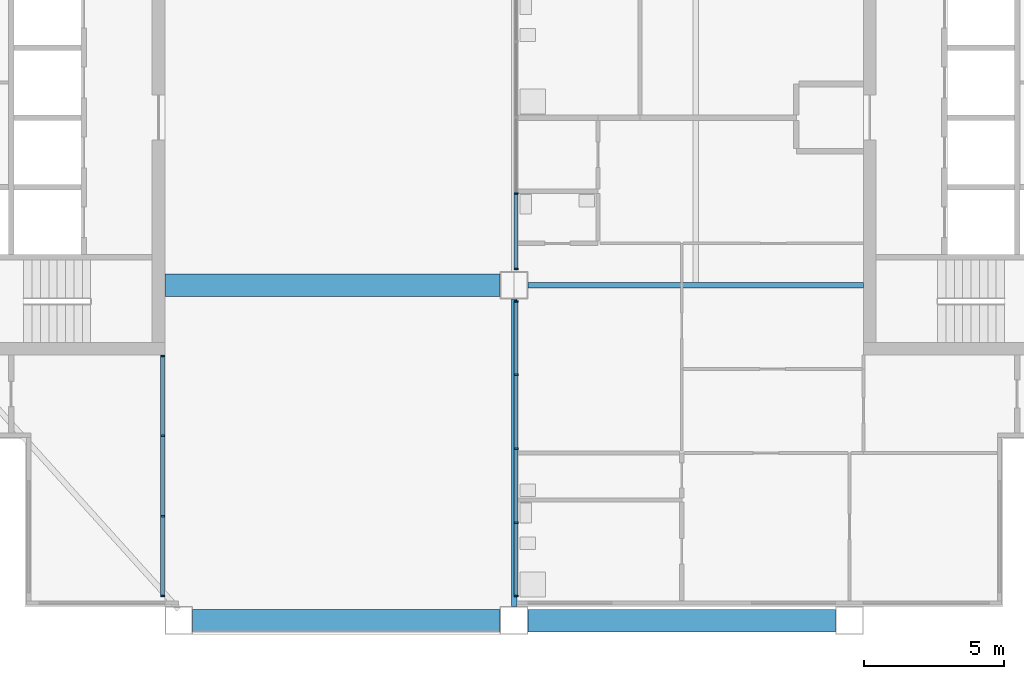
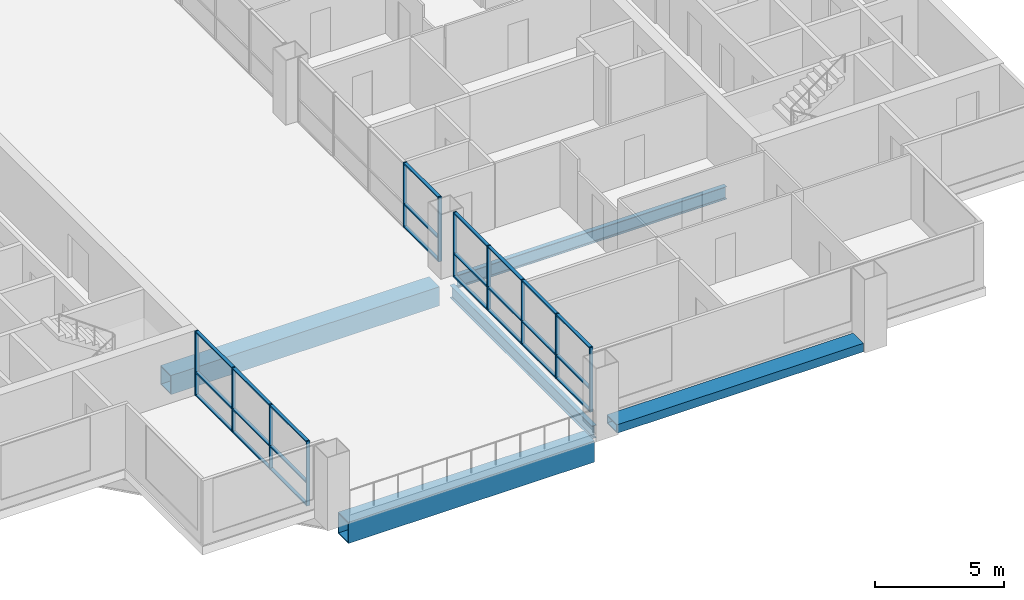
# One storey, part 2 of 12: 35 members, 5 beams, 3 elements without a shape of their own.
"""IFC4 building model written with IfcOpenShell, lengths in metres."""

import ifcopenshell
import ifcopenshell.guid

model = None  # the IFC model being written
_history = None  # IfcOwnerHistory: only IFC2X3 demands one
_inside = {}  # id of a spatial element -> (the spatial element, [elements in it])
_under = {}  # id of a project, library or spatial element -> (it, [spatial elements below it])
_declared = {}  # id of a project -> (the project, [libraries it declares])
_typed = {}  # id of a type object -> (the type object, [elements of that type])
_made_of = {}  # id of a material, layer set ... -> (it, [elements and type objects made of it])


def new_model(schema):
    """Start an empty IFC model of exactly this schema.

    Asked for "IFC4X3", IfcOpenShell would pick the latest addendum, in which some entities
    have other attributes; the version numbers below select the first issue.
    IFC2X3 requires an IfcOwnerHistory on every rooted entity: one is made here for all.
    """
    global model, _history
    if schema == "IFC4X3":
        model = ifcopenshell.file(schema_version=(4, 3, 0, 0))
    else:
        model = ifcopenshell.file(schema=schema)
    _inside.clear()
    _under.clear()
    _declared.clear()
    _typed.clear()
    _made_of.clear()
    _history = None
    if model.schema == "IFC2X3":
        org = make("IfcOrganization", Name="unknown")
        user = make(
            "IfcPersonAndOrganization",
            ThePerson=make("IfcPerson", FamilyName="unknown"),
            TheOrganization=org,
        )
        app = make(
            "IfcApplication",
            ApplicationDeveloper=org,
            Version="unknown",
            ApplicationFullName="unknown",
            ApplicationIdentifier="unknown",
        )
        _history = make(
            "IfcOwnerHistory",
            OwningUser=user,
            OwningApplication=app,
            ChangeAction="ADDED",
            CreationDate=0,
        )
    return model


def make(cls, **values):
    """One entity of the class cls with the attributes given. An attribute that is None is left unset."""
    return model.create_entity(
        cls, **{name: value for name, value in values.items() if value is not None}
    )


def rooted(cls, **values):
    """An entity with a GlobalId (a new one), such as an element, a storey or a relation."""
    return make(cls, GlobalId=ifcopenshell.guid.new(), OwnerHistory=_history, **values)


def si_unit(unit_type, name, prefix=None):
    """IfcSIUnit, for example si_unit("LENGTHUNIT", "METRE", prefix="MILLI")."""
    return make("IfcSIUnit", UnitType=unit_type, Prefix=prefix, Name=name)


def assignment(units):
    """IfcUnitAssignment: the units of a project."""
    return None if units is None else make("IfcUnitAssignment", Units=units)


def point(xyz):
    """IfcCartesianPoint."""
    return None if xyz is None else make("IfcCartesianPoint", Coordinates=xyz)


def direction(xyz):
    """IfcDirection."""
    return None if xyz is None else make("IfcDirection", DirectionRatios=xyz)


def frame(location, z_axis=None, x_axis=None):
    """IfcAxis2Placement3D, a coordinate frame: its origin and axes. An axis left out is left unset."""
    return make(
        "IfcAxis2Placement3D",
        Location=point(location),
        Axis=direction(z_axis),
        RefDirection=direction(x_axis),
    )


def frame_2d(location, x_axis=None):
    """IfcAxis2Placement2D, a coordinate frame in the plane: its origin and x axis."""
    return make(
        "IfcAxis2Placement2D", Location=point(location), RefDirection=direction(x_axis)
    )


def origin():
    """The frame at (0, 0, 0) with its axes left unset."""
    return frame((0.0, 0.0, 0.0))


def origin_2d():
    """The frame at (0, 0) in the plane with its x axis left unset."""
    return frame_2d((0.0, 0.0))


def place(relative_to, where):
    """IfcLocalPlacement: puts the frame where relative to a parent placement (None: the world)."""
    return make(
        "IfcLocalPlacement", PlacementRelTo=relative_to, RelativePlacement=where
    )


def context(
    kind, dimensions, precision=None, world=None, true_north=None, identifier=None
):
    """IfcGeometricRepresentationContext, for example the 3D "Model" context."""
    return make(
        "IfcGeometricRepresentationContext",
        ContextIdentifier=identifier,
        ContextType=kind,
        CoordinateSpaceDimension=dimensions,
        Precision=precision,
        WorldCoordinateSystem=world,
        TrueNorth=true_north,
    )


def subcontext(parent, identifier, kind, view, scale=None):
    """IfcGeometricRepresentationSubContext, for example "Body" below "Model"."""
    return make(
        "IfcGeometricRepresentationSubContext",
        ContextIdentifier=identifier,
        ContextType=kind,
        ParentContext=parent,
        TargetScale=scale,
        TargetView=view,
    )


def project(units=None, contexts=None):
    """IfcProject with its units and contexts."""
    return rooted(
        "IfcProject",
        Name="project",
        RepresentationContexts=contexts,
        UnitsInContext=assignment(units),
    )


def spatial(cls, under=None, at=None, **own):
    """A site, building, storey or space (cls), placed at a placement, below another one or the project."""
    s = rooted(cls, ObjectPlacement=at, **own)
    if under is not None:
        _under.setdefault(under.id(), (under, []))[1].append(s)
    return s


def profile(cls, at=None, kind="AREA", **sizes):
    """A parametric profile (cls). Its sizes go by their IFC names, for example OverallWidth=200.0."""
    return make(cls, ProfileType=kind, Position=at, **sizes)


def rectangle(**sizes):
    """IfcRectangleProfileDef."""
    return profile("IfcRectangleProfileDef", **sizes)


def hollow_rectangle(**sizes):
    """IfcRectangleHollowProfileDef."""
    return profile("IfcRectangleHollowProfileDef", **sizes)


def i_section(**sizes):
    """IfcIShapeProfileDef."""
    return profile("IfcIShapeProfileDef", **sizes)


def extrude(swept, where, along, depth):
    """IfcExtrudedAreaSolid: the profile swept, set in the frame where, extruded along a direction by depth."""
    return make(
        "IfcExtrudedAreaSolid",
        SweptArea=swept,
        Position=where,
        ExtrudedDirection=direction(along),
        Depth=depth,
    )


def shape(context_of_items, identifier, shape_type, items):
    """IfcShapeRepresentation: the items that make up one representation, for example the "Body"."""
    return make(
        "IfcShapeRepresentation",
        ContextOfItems=context_of_items,
        RepresentationIdentifier=identifier,
        RepresentationType=shape_type,
        Items=items,
    )


def material(Name=None, Category=None):
    """IfcMaterial."""
    return make("IfcMaterial", Name=Name, Category=Category)


def material_profile(
    of_material, cross_section, Name=None, Category=None, Priority=None
):
    """IfcMaterialProfile: a cross section and its material."""
    return make(
        "IfcMaterialProfile",
        Name=Name,
        Material=of_material,
        Profile=cross_section,
        Priority=Priority,
        Category=Category,
    )


def profile_set(profiles, Name=None, composite=None):
    """IfcMaterialProfileSet."""
    return make(
        "IfcMaterialProfileSet",
        Name=Name,
        MaterialProfiles=profiles,
        CompositeProfile=composite,
    )


def made_of(thing, what):
    """Note that an element or type object is made of a material, layer set ...; save() writes the relation."""
    if what is not None:
        _made_of.setdefault(what.id(), (what, []))[1].append(thing)
    return thing


def type_object(cls, material=None, **own):
    """A type object (cls), such as IfcWallType, which elements share."""
    return made_of(rooted(cls, **own), material)


def element(
    cls,
    number,
    at=None,
    inside=None,
    cuts=None,
    type_object=None,
    material=None,
    context=None,
    identifier="Body",
    shape_type=None,
    held_by="IfcProductDefinitionShape",
    body=None,
    shapes=None,
    **own,
):
    """One element of the class cls, such as IfcWall. Its Tag is "e" and its number.

    at: its placement. inside: the storey or other place that contains it. cuts: it is an
    opening in that element (IfcRelVoidsElement). A single representation is given by context,
    identifier, shape_type and body (its items); several are given by shapes. held_by: the class
    of the entity that holds the representations. save() writes the other relations.
    """
    e = rooted(cls, Tag="e%d" % number, ObjectPlacement=at, **own)
    if body is not None:
        shapes = [shape(context, identifier, shape_type, body)]
    if shapes is not None:
        e.Representation = make(held_by, Representations=shapes)
    if inside is not None:
        _inside.setdefault(inside.id(), (inside, []))[1].append(e)
    if cuts is not None:
        rooted(
            "IfcRelVoidsElement", RelatingBuildingElement=cuts, RelatedOpeningElement=e
        )
    if type_object is not None:
        _typed.setdefault(type_object.id(), (type_object, []))[1].append(e)
    return made_of(e, material)


def aggregate(whole, parts):
    """IfcRelAggregates: a whole, such as a stair, and the parts it consists of."""
    return rooted("IfcRelAggregates", RelatingObject=whole, RelatedObjects=parts)


def save(model, path):
    """Write the relations noted so far, then the file.

    IfcRelAggregates (storeys below a building ...), IfcRelContainedInSpatialStructure (elements
    in a storey), IfcRelDefinesByType, IfcRelAssociatesMaterial and IfcRelDeclares: one each for
    every whole, place, type object, material and project.
    """
    for whole, parts in _under.values():
        aggregate(whole, parts)
    for where, things in _inside.values():
        rooted(
            "IfcRelContainedInSpatialStructure",
            RelatedElements=things,
            RelatingStructure=where,
        )
    for kind, things in _typed.values():
        rooted("IfcRelDefinesByType", RelatedObjects=things, RelatingType=kind)
    for what, things in _made_of.values():
        rooted("IfcRelAssociatesMaterial", RelatedObjects=things, RelatingMaterial=what)
    for by, libraries in _declared.values():
        rooted("IfcRelDeclares", RelatingContext=by, RelatedDefinitions=libraries)
    model.write(path)


model = new_model("IFC4")

# Units and contexts
model_context = context("Model", 3, precision=1e-05, world=origin(), true_north=direction((0.0, 1.0)))
body_context = subcontext(model_context, "Body", "Model", "MODEL_VIEW")
ifc_project = project(units=[si_unit("LENGTHUNIT", "METRE"), si_unit("AREAUNIT", "SQUARE_METRE"), si_unit("VOLUMEUNIT", "CUBIC_METRE"), si_unit("PLANEANGLEUNIT", "RADIAN"), si_unit("MASSUNIT", "GRAM", prefix="KILO")], contexts=[model_context])

# Site, building, storey
site_placement = place(None, origin())
site = spatial("IfcSite", under=ifc_project, at=site_placement, CompositionType="ELEMENT")
building_placement = place(site_placement, origin())
building = spatial("IfcBuilding", under=site, at=building_placement, Name="Kitamizu Gate Tower and Museum", CompositionType="ELEMENT")
storey_placement = place(building_placement, frame((0.0, 0.0, 249.0)))
storey = spatial("IfcBuildingStorey", under=building, at=storey_placement, Name="L67", CompositionType="ELEMENT", Elevation=249.0)

# Beams
ifc_material_1 = material(Name="Steel SM490A bronze coated", Category="steel")
ifc_material_profile_1 = material_profile(ifc_material_1, hollow_rectangle(XDim=0.800048828125, YDim=0.39990234375, WallThickness=0.0400390625, at=origin_2d()), Name="BOX 800x400x40")
ifc_profile_set_1 = profile_set([ifc_material_profile_1], Name="Steel SM490A bronze coated")
beam_type_1 = type_object("IfcBeamType", Name="Exoskeleton spandrel beam SB1 BOX 800x400x40", PredefinedType="SPANDREL", material=ifc_profile_set_1)
beam_1_placement = place(storey_placement, frame((36.5, 12.0, -0.199951171875), z_axis=(1.0, 0.0, 0.0), x_axis=(0.0, 1.0, 0.0)))
element("IfcBeam", 1, at=beam_1_placement, inside=storey, type_object=beam_type_1, Name="Exoskeleton spandrel beam south 36 L67", PredefinedType="SPANDREL", context=body_context, shape_type="SweptSolid", body=[
    extrude(hollow_rectangle(XDim=0.800048828125, YDim=0.39990234375, WallThickness=0.0400390625, at=origin_2d()), origin(), (0.0, 0.0, 1.0), 11.0),
])
ifc_material_2 = material(Name="Steel SM490A", Category="steel")
ifc_material_profile_2 = material_profile(ifc_material_2, i_section(OverallWidth=0.199951171875, OverallDepth=0.60009765625, WebThickness=0.010986328125, FlangeThickness=0.01708984375, FilletRadius=0.02197265625, at=origin_2d()), Name="H-600x200x11x17")
ifc_profile_set_2 = profile_set([ifc_material_profile_2], Name="Steel SM490A")
beam_type_2 = type_object("IfcBeamType", Name="Floor girder FG1 H 600x200x11x17", PredefinedType="BEAM", material=ifc_profile_set_2)
beam_2_placement = place(storey_placement, frame((36.0, 12.5, -0.699951171875), z_axis=(0.0, 1.0, 0.0), x_axis=(-1.0, 0.0, 0.0)))
element("IfcBeam", 2, at=beam_2_placement, inside=storey, type_object=beam_type_2, Name="Floor girder FG1 x36 L67", PredefinedType="BEAM", context=body_context, shape_type="SweptSolid", body=[
    extrude(i_section(OverallWidth=0.199951171875, OverallDepth=0.60009765625, WebThickness=0.010986328125, FlangeThickness=0.01708984375, FilletRadius=0.02197265625, at=origin_2d()), origin(), (0.0, 0.0, 1.0), 11.0),
])
beam_3_placement = place(storey_placement, frame((36.5, 24.0, -0.699951171875), z_axis=(1.0, 0.0, 0.0), x_axis=(0.0, 1.0, 0.0)))
element("IfcBeam", 3, at=beam_3_placement, inside=storey, type_object=beam_type_2, Name="Floor girder FG1 y24 L67", PredefinedType="BEAM", context=body_context, shape_type="SweptSolid", body=[
    extrude(i_section(OverallWidth=0.199951171875, OverallDepth=0.60009765625, WebThickness=0.010986328125, FlangeThickness=0.01708984375, FilletRadius=0.02197265625, at=origin_2d()), origin(), (0.0, 0.0, 1.0), 12.0),
])

# Curtain wall, members
ifc_material_3 = material(Name="Bronze anodised aluminium frame, tinted triple glazing", Category="aluminium")
curtain_wall_type = type_object("IfcCurtainWallType", Name="CURTAIN WALL TYPE C SKY AMENITY", PredefinedType="NOTDEFINED", material=ifc_material_3)
curtain_wall_1_placement = place(storey_placement, origin())
curtain_wall_1 = element("IfcCurtainWall", 4, at=curtain_wall_1_placement, inside=storey, type_object=curtain_wall_type, Name="Curtain wall CW-C portal W L67", PredefinedType="NOTDEFINED")
ifc_material_4 = material(Name="Bronze anodised aluminium", Category="aluminium")
ifc_material_profile_3 = material_profile(ifc_material_4, rectangle(XDim=0.06005859375, YDim=0.14990234375, at=origin_2d()), Name="AL 60X150")
ifc_profile_set_3 = profile_set([ifc_material_profile_3], Name="Bronze anodised aluminium")
member_type_1 = type_object("IfcMemberType", Name="MULLION 60 X 150 TYPE C", PredefinedType="MULLION", material=ifc_profile_set_3)
member_1_placement = place(storey_placement, frame((23.425048828125, 12.8798828125, 0.0), z_axis=(0.0, 0.0, 1.0), x_axis=(0.0, 1.0, 0.0)))
member_1 = element("IfcMember", 5, at=member_1_placement, type_object=member_type_1, Name="CW-C mullion 1", PredefinedType="MULLION", context=body_context, shape_type="SweptSolid", body=[
    extrude(rectangle(XDim=0.06005859375, YDim=0.14990234375, at=origin_2d()), origin(), (0.0, 0.0, 1.0), 3.050048828125),
])
member_2_placement = place(storey_placement, frame((23.425048828125, 15.7333984375, 0.0), z_axis=(0.0, 0.0, 1.0), x_axis=(0.0, 1.0, 0.0)))
member_2 = element("IfcMember", 6, at=member_2_placement, type_object=member_type_1, Name="CW-C mullion 2", PredefinedType="MULLION", context=body_context, shape_type="SweptSolid", body=[
    extrude(rectangle(XDim=0.06005859375, YDim=0.14990234375, at=origin_2d()), origin(), (0.0, 0.0, 1.0), 3.050048828125),
])
member_3_placement = place(storey_placement, frame((23.425048828125, 18.61669921875, 0.0), z_axis=(0.0, 0.0, 1.0), x_axis=(0.0, 1.0, 0.0)))
member_3 = element("IfcMember", 7, at=member_3_placement, type_object=member_type_1, Name="CW-C mullion 3", PredefinedType="MULLION", context=body_context, shape_type="SweptSolid", body=[
    extrude(rectangle(XDim=0.06005859375, YDim=0.14990234375, at=origin_2d()), origin(), (0.0, 0.0, 1.0), 3.050048828125),
])
member_4_placement = place(storey_placement, frame((23.425048828125, 21.469970703125, 0.0), z_axis=(0.0, 0.0, 1.0), x_axis=(0.0, 1.0, 0.0)))
member_4 = element("IfcMember", 8, at=member_4_placement, type_object=member_type_1, Name="CW-C mullion 4", PredefinedType="MULLION", context=body_context, shape_type="SweptSolid", body=[
    extrude(rectangle(XDim=0.06005859375, YDim=0.14990234375, at=origin_2d()), origin(), (0.0, 0.0, 1.0), 3.050048828125),
])

curtain_wall_2_placement = place(storey_placement, origin())
curtain_wall_2 = element("IfcCurtainWall", 9, at=curtain_wall_2_placement, inside=storey, type_object=curtain_wall_type, Name="Curtain wall CW-C portal E L67", PredefinedType="NOTDEFINED")
member_5_placement = place(storey_placement, frame((36.074951171875, 12.8798828125, 0.0), z_axis=(0.0, 0.0, 1.0), x_axis=(0.0, 1.0, 0.0)))
member_5 = element("IfcMember", 10, at=member_5_placement, type_object=member_type_1, Name="CW-C mullion 1", PredefinedType="MULLION", context=body_context, shape_type="SweptSolid", body=[
    extrude(rectangle(XDim=0.06005859375, YDim=0.14990234375, at=origin_2d()), origin(), (0.0, 0.0, 1.0), 3.050048828125),
])
member_6_placement = place(storey_placement, frame((36.074951171875, 15.498779296875, 0.0), z_axis=(0.0, 0.0, 1.0), x_axis=(0.0, 1.0, 0.0)))
member_6 = element("IfcMember", 11, at=member_6_placement, type_object=member_type_1, Name="CW-C mullion 2", PredefinedType="MULLION", context=body_context, shape_type="SweptSolid", body=[
    extrude(rectangle(XDim=0.06005859375, YDim=0.14990234375, at=origin_2d()), origin(), (0.0, 0.0, 1.0), 3.050048828125),
])
member_7_placement = place(storey_placement, frame((36.074951171875, 18.1474609375, 0.0), z_axis=(0.0, 0.0, 1.0), x_axis=(0.0, 1.0, 0.0)))
member_7 = element("IfcMember", 12, at=member_7_placement, type_object=member_type_1, Name="CW-C mullion 3", PredefinedType="MULLION", context=body_context, shape_type="SweptSolid", body=[
    extrude(rectangle(XDim=0.06005859375, YDim=0.14990234375, at=origin_2d()), origin(), (0.0, 0.0, 1.0), 3.050048828125),
])
member_8_placement = place(storey_placement, frame((36.074951171875, 20.796142578125, 0.0), z_axis=(0.0, 0.0, 1.0), x_axis=(0.0, 1.0, 0.0)))
member_8 = element("IfcMember", 13, at=member_8_placement, type_object=member_type_1, Name="CW-C mullion 4", PredefinedType="MULLION", context=body_context, shape_type="SweptSolid", body=[
    extrude(rectangle(XDim=0.06005859375, YDim=0.14990234375, at=origin_2d()), origin(), (0.0, 0.0, 1.0), 3.050048828125),
])
member_9_placement = place(storey_placement, frame((36.074951171875, 23.4150390625, 0.0), z_axis=(0.0, 0.0, 1.0), x_axis=(0.0, 1.0, 0.0)))
member_9 = element("IfcMember", 14, at=member_9_placement, type_object=member_type_1, Name="CW-C mullion 5", PredefinedType="MULLION", context=body_context, shape_type="SweptSolid", body=[
    extrude(rectangle(XDim=0.06005859375, YDim=0.14990234375, at=origin_2d()), origin(), (0.0, 0.0, 1.0), 3.050048828125),
])

curtain_wall_3_placement = place(storey_placement, origin())
curtain_wall_3 = element("IfcCurtainWall", 15, at=curtain_wall_3_placement, inside=storey, type_object=curtain_wall_type, Name="Curtain wall CW-C portal E L67", PredefinedType="NOTDEFINED")
member_10_placement = place(storey_placement, frame((36.074951171875, 24.5849609375, 0.0), z_axis=(0.0, 0.0, 1.0), x_axis=(0.0, 1.0, 0.0)))
member_10 = element("IfcMember", 16, at=member_10_placement, type_object=member_type_1, Name="CW-C mullion 1", PredefinedType="MULLION", context=body_context, shape_type="SweptSolid", body=[
    extrude(rectangle(XDim=0.06005859375, YDim=0.14990234375, at=origin_2d()), origin(), (0.0, 0.0, 1.0), 3.050048828125),
])
member_11_placement = place(storey_placement, frame((36.074951171875, 27.277587890625, 0.0), z_axis=(0.0, 0.0, 1.0), x_axis=(0.0, 1.0, 0.0)))
member_11 = element("IfcMember", 17, at=member_11_placement, type_object=member_type_1, Name="CW-C mullion 2", PredefinedType="MULLION", context=body_context, shape_type="SweptSolid", body=[
    extrude(rectangle(XDim=0.06005859375, YDim=0.14990234375, at=origin_2d()), origin(), (0.0, 0.0, 1.0), 3.050048828125),
])

# Beams
ifc_material_5 = material(Name="Steel SM490A bronze coated", Category="steel")
ifc_material_profile_4 = material_profile(ifc_material_5, hollow_rectangle(XDim=0.800048828125, YDim=0.89990234375, WallThickness=0.044921875, at=origin_2d()), Name="BOX 800x900x45")
ifc_profile_set_4 = profile_set([ifc_material_profile_4], Name="Steel SM490A bronze coated")
beam_type_3 = type_object("IfcBeamType", Name="Portal deck beam PF2 BOX 800x900x45", PredefinedType="BEAM", material=ifc_profile_set_4)
beam_4_placement = place(storey_placement, frame((23.5, 24.0, -0.85009765625), z_axis=(1.0, 0.0, 0.0), x_axis=(0.0, 1.0, 0.0)))
element("IfcBeam", 18, at=beam_4_placement, inside=storey, type_object=beam_type_3, Name="Portal deck beam L67 y24", PredefinedType="BEAM", context=body_context, shape_type="SweptSolid", body=[
    extrude(hollow_rectangle(XDim=0.800048828125, YDim=0.89990234375, WallThickness=0.044921875, at=origin_2d()), origin(), (0.0, 0.0, 1.0), 12.0),
])
ifc_material_6 = material(Name="Steel SM490A bronze coated", Category="steel")
ifc_material_profile_5 = material_profile(ifc_material_6, hollow_rectangle(XDim=0.800048828125, YDim=1.0, WallThickness=0.050048828125, at=origin_2d()), Name="BOX 800x1000x50")
ifc_profile_set_5 = profile_set([ifc_material_profile_5], Name="Steel SM490A bronze coated")
beam_type_4 = type_object("IfcBeamType", Name="Portal frame beam PF1 BOX 800x1000x50", PredefinedType="BEAM", material=ifc_profile_set_5)
beam_5_placement = place(storey_placement, frame((24.5, 12.0, -0.89990234375), z_axis=(1.0, 0.0, 0.0), x_axis=(0.0, 1.0, 0.0)))
element("IfcBeam", 19, at=beam_5_placement, inside=storey, type_object=beam_type_4, Name="Portal frame beam S L67", PredefinedType="BEAM", context=body_context, shape_type="SweptSolid", body=[
    extrude(hollow_rectangle(XDim=0.800048828125, YDim=1.0, WallThickness=0.050048828125, at=origin_2d()), origin(), (0.0, 0.0, 1.0), 11.0),
])

# Member
ifc_material_7 = material(Name="Bronze anodised aluminium", Category="aluminium")
ifc_material_profile_6 = material_profile(ifc_material_7, rectangle(XDim=0.139892578125, YDim=0.06005859375, at=origin_2d()), Name="AL 60X140")
ifc_profile_set_6 = profile_set([ifc_material_profile_6], Name="Bronze anodised aluminium")
member_type_2 = type_object("IfcMemberType", Name="TRANSOM 60 X 140 TYPE C", PredefinedType="USERDEFINED", material=ifc_profile_set_6)
member_12_placement = place(storey_placement, frame((23.425048828125, 12.909912109375, 0.030029296875), z_axis=(0.0, 1.0, 0.0), x_axis=(-1.0, 0.0, 0.0)))
member_12 = element("IfcMember", 20, at=member_12_placement, type_object=member_type_2, Name="CW-C transom 1.1", ObjectType="TRANSOM", PredefinedType="USERDEFINED", context=body_context, shape_type="SweptSolid", body=[
    extrude(rectangle(XDim=0.139892578125, YDim=0.06005859375, at=origin_2d()), origin(), (0.0, 0.0, 1.0), 2.79345703125),
])

member_13_placement = place(storey_placement, frame((23.425048828125, 12.909912109375, 1.10009765625), z_axis=(0.0, 1.0, 0.0), x_axis=(-1.0, 0.0, 0.0)))
member_13 = element("IfcMember", 21, at=member_13_placement, type_object=member_type_2, Name="CW-C transom 1.2", ObjectType="TRANSOM", PredefinedType="USERDEFINED", context=body_context, shape_type="SweptSolid", body=[
    extrude(rectangle(XDim=0.139892578125, YDim=0.06005859375, at=origin_2d()), origin(), (0.0, 0.0, 1.0), 2.79345703125),
])

member_14_placement = place(storey_placement, frame((23.425048828125, 12.909912109375, 3.02001953125), z_axis=(0.0, 1.0, 0.0), x_axis=(-1.0, 0.0, 0.0)))
member_14 = element("IfcMember", 22, at=member_14_placement, type_object=member_type_2, Name="CW-C transom 1.3", ObjectType="TRANSOM", PredefinedType="USERDEFINED", context=body_context, shape_type="SweptSolid", body=[
    extrude(rectangle(XDim=0.139892578125, YDim=0.06005859375, at=origin_2d()), origin(), (0.0, 0.0, 1.0), 2.79345703125),
])

member_15_placement = place(storey_placement, frame((23.425048828125, 15.763427734375, 0.030029296875), z_axis=(0.0, 1.0, 0.0), x_axis=(-1.0, 0.0, 0.0)))
member_15 = element("IfcMember", 23, at=member_15_placement, type_object=member_type_2, Name="CW-C transom 2.1", ObjectType="TRANSOM", PredefinedType="USERDEFINED", context=body_context, shape_type="SweptSolid", body=[
    extrude(rectangle(XDim=0.139892578125, YDim=0.06005859375, at=origin_2d()), origin(), (0.0, 0.0, 1.0), 2.8232421875),
])

member_16_placement = place(storey_placement, frame((23.425048828125, 15.763427734375, 1.10009765625), z_axis=(0.0, 1.0, 0.0), x_axis=(-1.0, 0.0, 0.0)))
member_16 = element("IfcMember", 24, at=member_16_placement, type_object=member_type_2, Name="CW-C transom 2.2", ObjectType="TRANSOM", PredefinedType="USERDEFINED", context=body_context, shape_type="SweptSolid", body=[
    extrude(rectangle(XDim=0.139892578125, YDim=0.06005859375, at=origin_2d()), origin(), (0.0, 0.0, 1.0), 2.8232421875),
])

member_17_placement = place(storey_placement, frame((23.425048828125, 15.763427734375, 3.02001953125), z_axis=(0.0, 1.0, 0.0), x_axis=(-1.0, 0.0, 0.0)))
member_17 = element("IfcMember", 25, at=member_17_placement, type_object=member_type_2, Name="CW-C transom 2.3", ObjectType="TRANSOM", PredefinedType="USERDEFINED", context=body_context, shape_type="SweptSolid", body=[
    extrude(rectangle(XDim=0.139892578125, YDim=0.06005859375, at=origin_2d()), origin(), (0.0, 0.0, 1.0), 2.8232421875),
])

member_18_placement = place(storey_placement, frame((23.425048828125, 18.646728515625, 0.030029296875), z_axis=(0.0, 1.0, 0.0), x_axis=(-1.0, 0.0, 0.0)))
member_18 = element("IfcMember", 26, at=member_18_placement, type_object=member_type_2, Name="CW-C transom 3.1", ObjectType="TRANSOM", PredefinedType="USERDEFINED", context=body_context, shape_type="SweptSolid", body=[
    extrude(rectangle(XDim=0.139892578125, YDim=0.06005859375, at=origin_2d()), origin(), (0.0, 0.0, 1.0), 2.793212890625),
])

member_19_placement = place(storey_placement, frame((23.425048828125, 18.646728515625, 1.10009765625), z_axis=(0.0, 1.0, 0.0), x_axis=(-1.0, 0.0, 0.0)))
member_19 = element("IfcMember", 27, at=member_19_placement, type_object=member_type_2, Name="CW-C transom 3.2", ObjectType="TRANSOM", PredefinedType="USERDEFINED", context=body_context, shape_type="SweptSolid", body=[
    extrude(rectangle(XDim=0.139892578125, YDim=0.06005859375, at=origin_2d()), origin(), (0.0, 0.0, 1.0), 2.793212890625),
])

member_20_placement = place(storey_placement, frame((23.425048828125, 18.646728515625, 3.02001953125), z_axis=(0.0, 1.0, 0.0), x_axis=(-1.0, 0.0, 0.0)))
member_20 = element("IfcMember", 28, at=member_20_placement, type_object=member_type_2, Name="CW-C transom 3.3", ObjectType="TRANSOM", PredefinedType="USERDEFINED", context=body_context, shape_type="SweptSolid", body=[
    extrude(rectangle(XDim=0.139892578125, YDim=0.06005859375, at=origin_2d()), origin(), (0.0, 0.0, 1.0), 2.793212890625),
])

aggregate(curtain_wall_1, [member_1, member_2, member_3, member_4, member_12, member_13, member_14, member_15, member_16, member_17, member_18, member_19, member_20])

member_21_placement = place(storey_placement, frame((36.074951171875, 12.909912109375, 0.030029296875), z_axis=(0.0, 1.0, 0.0), x_axis=(-1.0, 0.0, 0.0)))
member_21 = element("IfcMember", 29, at=member_21_placement, type_object=member_type_2, Name="CW-C transom 1.1", ObjectType="TRANSOM", PredefinedType="USERDEFINED", context=body_context, shape_type="SweptSolid", body=[
    extrude(rectangle(XDim=0.139892578125, YDim=0.06005859375, at=origin_2d()), origin(), (0.0, 0.0, 1.0), 2.558837890625),
])

member_22_placement = place(storey_placement, frame((36.074951171875, 12.909912109375, 1.10009765625), z_axis=(0.0, 1.0, 0.0), x_axis=(-1.0, 0.0, 0.0)))
member_22 = element("IfcMember", 30, at=member_22_placement, type_object=member_type_2, Name="CW-C transom 1.2", ObjectType="TRANSOM", PredefinedType="USERDEFINED", context=body_context, shape_type="SweptSolid", body=[
    extrude(rectangle(XDim=0.139892578125, YDim=0.06005859375, at=origin_2d()), origin(), (0.0, 0.0, 1.0), 2.558837890625),
])

member_23_placement = place(storey_placement, frame((36.074951171875, 12.909912109375, 3.02001953125), z_axis=(0.0, 1.0, 0.0), x_axis=(-1.0, 0.0, 0.0)))
member_23 = element("IfcMember", 31, at=member_23_placement, type_object=member_type_2, Name="CW-C transom 1.3", ObjectType="TRANSOM", PredefinedType="USERDEFINED", context=body_context, shape_type="SweptSolid", body=[
    extrude(rectangle(XDim=0.139892578125, YDim=0.06005859375, at=origin_2d()), origin(), (0.0, 0.0, 1.0), 2.558837890625),
])

member_24_placement = place(storey_placement, frame((36.074951171875, 15.52880859375, 0.030029296875), z_axis=(0.0, 1.0, 0.0), x_axis=(-1.0, 0.0, 0.0)))
member_24 = element("IfcMember", 32, at=member_24_placement, type_object=member_type_2, Name="CW-C transom 2.1", ObjectType="TRANSOM", PredefinedType="USERDEFINED", context=body_context, shape_type="SweptSolid", body=[
    extrude(rectangle(XDim=0.139892578125, YDim=0.06005859375, at=origin_2d()), origin(), (0.0, 0.0, 1.0), 2.588623046875),
])

member_25_placement = place(storey_placement, frame((36.074951171875, 15.52880859375, 1.10009765625), z_axis=(0.0, 1.0, 0.0), x_axis=(-1.0, 0.0, 0.0)))
member_25 = element("IfcMember", 33, at=member_25_placement, type_object=member_type_2, Name="CW-C transom 2.2", ObjectType="TRANSOM", PredefinedType="USERDEFINED", context=body_context, shape_type="SweptSolid", body=[
    extrude(rectangle(XDim=0.139892578125, YDim=0.06005859375, at=origin_2d()), origin(), (0.0, 0.0, 1.0), 2.588623046875),
])

member_26_placement = place(storey_placement, frame((36.074951171875, 15.52880859375, 3.02001953125), z_axis=(0.0, 1.0, 0.0), x_axis=(-1.0, 0.0, 0.0)))
member_26 = element("IfcMember", 34, at=member_26_placement, type_object=member_type_2, Name="CW-C transom 2.3", ObjectType="TRANSOM", PredefinedType="USERDEFINED", context=body_context, shape_type="SweptSolid", body=[
    extrude(rectangle(XDim=0.139892578125, YDim=0.06005859375, at=origin_2d()), origin(), (0.0, 0.0, 1.0), 2.588623046875),
])

member_27_placement = place(storey_placement, frame((36.074951171875, 18.177490234375, 0.030029296875), z_axis=(0.0, 1.0, 0.0), x_axis=(-1.0, 0.0, 0.0)))
member_27 = element("IfcMember", 35, at=member_27_placement, type_object=member_type_2, Name="CW-C transom 3.1", ObjectType="TRANSOM", PredefinedType="USERDEFINED", context=body_context, shape_type="SweptSolid", body=[
    extrude(rectangle(XDim=0.139892578125, YDim=0.06005859375, at=origin_2d()), origin(), (0.0, 0.0, 1.0), 2.5888671875),
])

member_28_placement = place(storey_placement, frame((36.074951171875, 18.177490234375, 1.10009765625), z_axis=(0.0, 1.0, 0.0), x_axis=(-1.0, 0.0, 0.0)))
member_28 = element("IfcMember", 36, at=member_28_placement, type_object=member_type_2, Name="CW-C transom 3.2", ObjectType="TRANSOM", PredefinedType="USERDEFINED", context=body_context, shape_type="SweptSolid", body=[
    extrude(rectangle(XDim=0.139892578125, YDim=0.06005859375, at=origin_2d()), origin(), (0.0, 0.0, 1.0), 2.5888671875),
])

member_29_placement = place(storey_placement, frame((36.074951171875, 18.177490234375, 3.02001953125), z_axis=(0.0, 1.0, 0.0), x_axis=(-1.0, 0.0, 0.0)))
member_29 = element("IfcMember", 37, at=member_29_placement, type_object=member_type_2, Name="CW-C transom 3.3", ObjectType="TRANSOM", PredefinedType="USERDEFINED", context=body_context, shape_type="SweptSolid", body=[
    extrude(rectangle(XDim=0.139892578125, YDim=0.06005859375, at=origin_2d()), origin(), (0.0, 0.0, 1.0), 2.5888671875),
])

member_30_placement = place(storey_placement, frame((36.074951171875, 20.826171875, 0.030029296875), z_axis=(0.0, 1.0, 0.0), x_axis=(-1.0, 0.0, 0.0)))
member_30 = element("IfcMember", 38, at=member_30_placement, type_object=member_type_2, Name="CW-C transom 4.1", ObjectType="TRANSOM", PredefinedType="USERDEFINED", context=body_context, shape_type="SweptSolid", body=[
    extrude(rectangle(XDim=0.139892578125, YDim=0.06005859375, at=origin_2d()), origin(), (0.0, 0.0, 1.0), 2.558837890625),
])

member_31_placement = place(storey_placement, frame((36.074951171875, 20.826171875, 1.10009765625), z_axis=(0.0, 1.0, 0.0), x_axis=(-1.0, 0.0, 0.0)))
member_31 = element("IfcMember", 39, at=member_31_placement, type_object=member_type_2, Name="CW-C transom 4.2", ObjectType="TRANSOM", PredefinedType="USERDEFINED", context=body_context, shape_type="SweptSolid", body=[
    extrude(rectangle(XDim=0.139892578125, YDim=0.06005859375, at=origin_2d()), origin(), (0.0, 0.0, 1.0), 2.558837890625),
])

member_32_placement = place(storey_placement, frame((36.074951171875, 20.826171875, 3.02001953125), z_axis=(0.0, 1.0, 0.0), x_axis=(-1.0, 0.0, 0.0)))
member_32 = element("IfcMember", 40, at=member_32_placement, type_object=member_type_2, Name="CW-C transom 4.3", ObjectType="TRANSOM", PredefinedType="USERDEFINED", context=body_context, shape_type="SweptSolid", body=[
    extrude(rectangle(XDim=0.139892578125, YDim=0.06005859375, at=origin_2d()), origin(), (0.0, 0.0, 1.0), 2.558837890625),
])

aggregate(curtain_wall_2, [member_5, member_6, member_7, member_8, member_9, member_21, member_22, member_23, member_24, member_25, member_26, member_27, member_28, member_29, member_30, member_31, member_32])

member_33_placement = place(storey_placement, frame((36.074951171875, 24.614990234375, 0.030029296875), z_axis=(0.0, 1.0, 0.0), x_axis=(-1.0, 0.0, 0.0)))
member_33 = element("IfcMember", 41, at=member_33_placement, type_object=member_type_2, Name="CW-C transom 1.1", ObjectType="TRANSOM", PredefinedType="USERDEFINED", context=body_context, shape_type="SweptSolid", body=[
    extrude(rectangle(XDim=0.139892578125, YDim=0.06005859375, at=origin_2d()), origin(), (0.0, 0.0, 1.0), 2.632568359375),
])

member_34_placement = place(storey_placement, frame((36.074951171875, 24.614990234375, 1.10009765625), z_axis=(0.0, 1.0, 0.0), x_axis=(-1.0, 0.0, 0.0)))
member_34 = element("IfcMember", 42, at=member_34_placement, type_object=member_type_2, Name="CW-C transom 1.2", ObjectType="TRANSOM", PredefinedType="USERDEFINED", context=body_context, shape_type="SweptSolid", body=[
    extrude(rectangle(XDim=0.139892578125, YDim=0.06005859375, at=origin_2d()), origin(), (0.0, 0.0, 1.0), 2.632568359375),
])

member_35_placement = place(storey_placement, frame((36.074951171875, 24.614990234375, 3.02001953125), z_axis=(0.0, 1.0, 0.0), x_axis=(-1.0, 0.0, 0.0)))
member_35 = element("IfcMember", 43, at=member_35_placement, type_object=member_type_2, Name="CW-C transom 1.3", ObjectType="TRANSOM", PredefinedType="USERDEFINED", context=body_context, shape_type="SweptSolid", body=[
    extrude(rectangle(XDim=0.139892578125, YDim=0.06005859375, at=origin_2d()), origin(), (0.0, 0.0, 1.0), 2.632568359375),
])

aggregate(curtain_wall_3, [member_10, member_11, member_33, member_34, member_35])

save(model, "model.ifc")
